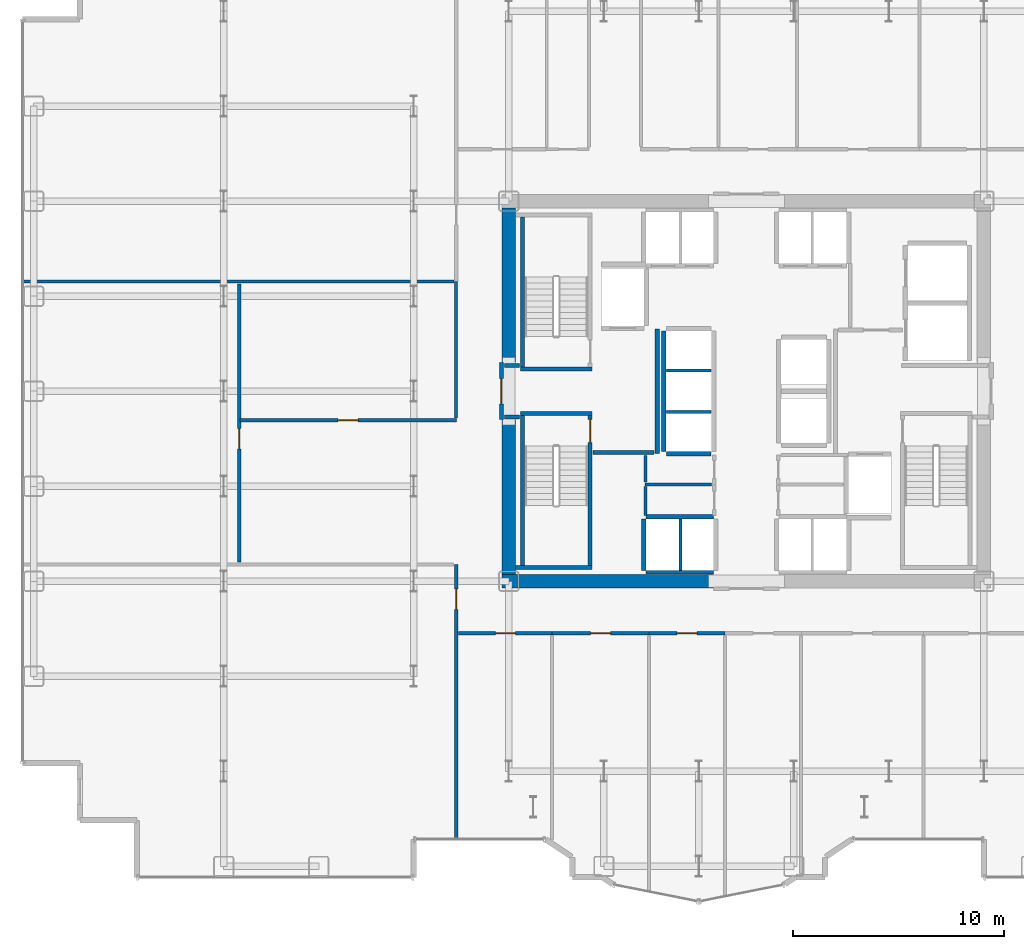
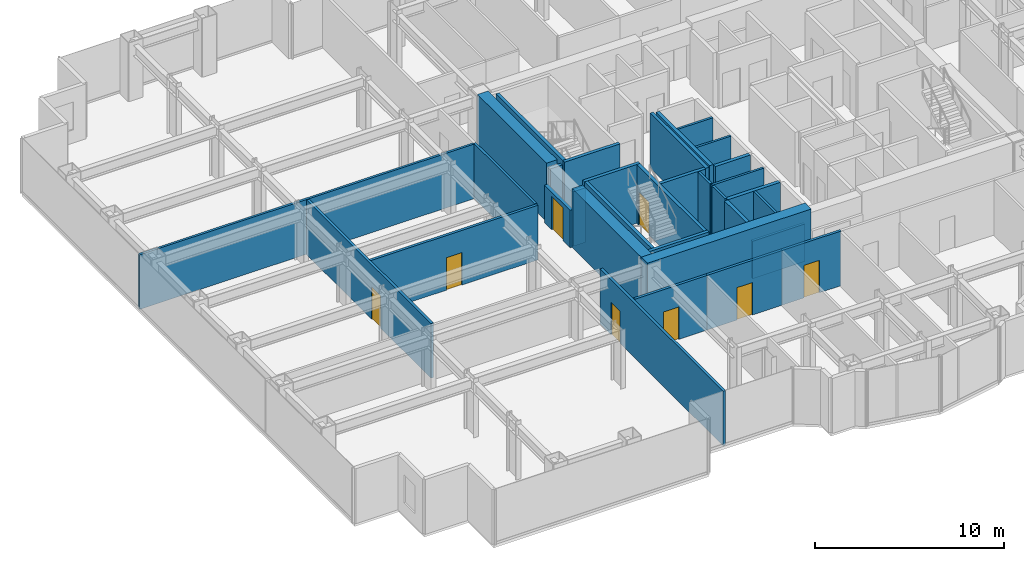
# One storey, part 20 of 26: 33 walls, 8 doors, 8 openings.
"""IFC4 building model written with IfcOpenShell, lengths in metres."""

from ifc_helpers import new_model, si_unit, direction, frame, frame_2d, origin, place, context, subcontext, project, spatial, rectangle, extrude, source, transform, mapped, material, layer, layer_set, type_object, element, fill, save


model = new_model("IFC4")

# Units and contexts
model_context = context("Model", 3, precision=1e-05, world=origin(), true_north=direction((0.0, 1.0)))
body_context = subcontext(model_context, "Body", "Model", "MODEL_VIEW")
ifc_project = project(units=[si_unit("LENGTHUNIT", "METRE"), si_unit("AREAUNIT", "SQUARE_METRE"), si_unit("VOLUMEUNIT", "CUBIC_METRE"), si_unit("PLANEANGLEUNIT", "RADIAN"), si_unit("MASSUNIT", "GRAM", prefix="KILO")], contexts=[model_context])

# Site, building, storey
site_placement = place(None, origin())
site = spatial("IfcSite", under=ifc_project, at=site_placement, CompositionType="ELEMENT")
building_placement = place(site_placement, origin())
building = spatial("IfcBuilding", under=site, at=building_placement, Name="Nefas-Gora Pilgrimage Tower", CompositionType="ELEMENT")
storey_placement = place(building_placement, frame((0.0, 0.0, 40.60009765625)))
storey = spatial("IfcBuildingStorey", under=building, at=storey_placement, Name="L08", CompositionType="ELEMENT", Elevation=40.60009765625)

# Walls
ifc_material_1 = material(Name="Concrete C60/75", Category="concrete")
ifc_layer_1 = layer(ifc_material_1, 0.64990234375)
ifc_layer_set_1 = layer_set([ifc_layer_1], Name="Concrete C60/75")
wall_type_1 = type_object("IfcWallType", Name="SW-CORE-650", PredefinedType="SHEAR", material=ifc_layer_set_1)
shared_shape_1 = source(origin(), body_context, "Body", "SweptSolid", [
    extrude(rectangle(XDim=10.02490234375, YDim=0.64990234375, at=frame_2d((5.012451171875, 0.0))), origin(), (0.0, 0.0, 1.0), 3.7998046875),
])
wall_1_placement = place(storey_placement, frame((-11.574951171875, -9.0, 0.0), z_axis=(0.0, 0.0, 1.0), x_axis=(1.0, 0.0, 0.0)))
element("IfcWall", 1, at=wall_1_placement, inside=storey, type_object=wall_type_1, Name="L08 Core Shear Wall S-West", PredefinedType="SHEAR", context=body_context, shape_type="MappedRepresentation", body=[
    mapped(shared_shape_1, transform((0.0, 0.0, 0.0), x_axis=(1.0, 0.0, 0.0), y_axis=(0.0, 1.0, 0.0), z_axis=(0.0, 0.0, 1.0), scale=1.0)),
])
shared_shape_2 = source(origin(), body_context, "Body", "SweptSolid", [
    extrude(rectangle(XDim=7.324951171875, YDim=0.64990234375, at=frame_2d((3.66259765625, 0.0))), origin(), (0.0, 0.0, 1.0), 3.7998046875),
])
for number, where, z_axis, x_axis, name in (
    (2, (-11.25, -8.675048828125, 0.0), (0.0, 0.0, 1.0), (0.0, 1.0, 0.0), "L08 Core Shear Wall W-South"),
    (3, (-11.25, 1.35009765625, 0.0), (0.0, 0.0, 1.0), (0.0, 1.0, 0.0), "L08 Core Shear Wall W-North"),
):
    element("IfcWall", number, at=place(storey_placement, frame(where, z_axis=z_axis, x_axis=x_axis)), inside=storey, type_object=wall_type_1, Name=name, PredefinedType="SHEAR", context=body_context, shape_type="MappedRepresentation", body=[
        mapped(shared_shape_2, transform((0.0, 0.0, 0.0), x_axis=(1.0, 0.0, 0.0), y_axis=(0.0, 1.0, 0.0), z_axis=(0.0, 0.0, 1.0), scale=1.0)),
    ])
ifc_material_2 = material(Name="Concrete C45/55", Category="concrete")
ifc_layer_2 = layer(ifc_material_2, 0.199951171875)
ifc_layer_set_2 = layer_set([ifc_layer_2], Name="Concrete C45/55")
wall_type_2 = type_object("IfcWallType", Name="IW-STAIR-200", PredefinedType="SOLIDWALL", material=ifc_layer_set_2)
shared_shape_3 = source(origin(), body_context, "Body", "SweptSolid", [
    extrude(rectangle(XDim=3.39990234375, YDim=0.199951171875, at=frame_2d((1.699951171875, 0.0))), origin(), (0.0, 0.0, 1.0), 3.7998046875),
])
for number, where, z_axis, x_axis, name in (
    (4, (-7.300048828125, 1.050048828125, 0.0), (0.0, 0.0, 1.0), (-1.0, 0.0, 0.0), "L08 Stairwell Shear Wall ST-01-near"),
    (5, (-10.699951171875, -1.050048828125, 0.0), (0.0, 0.0, 1.0), (1.0, 0.0, 0.0), "L08 Stairwell Shear Wall ST-03-near"),
):
    element("IfcWall", number, at=place(storey_placement, frame(where, z_axis=z_axis, x_axis=x_axis)), inside=storey, type_object=wall_type_2, Name=name, PredefinedType="SOLIDWALL", context=body_context, shape_type="MappedRepresentation", body=[
        mapped(shared_shape_3, transform((0.0, 0.0, 0.0), x_axis=(1.0, 0.0, 0.0), y_axis=(0.0, 1.0, 0.0), z_axis=(0.0, 0.0, 1.0), scale=1.0)),
    ])
shared_shape_4 = source(origin(), body_context, "Body", "SweptSolid", [
    extrude(rectangle(XDim=3.6298828125, YDim=0.199951171875, at=frame_2d((1.81494140625, 0.0))), origin(), (0.0, 0.0, 1.0), 3.7998046875),
])
wall_2_placement = place(storey_placement, frame((-10.929931640625, -8.35009765625, 0.0), z_axis=(0.0, 0.0, 1.0), x_axis=(1.0, 0.0, 0.0)))
element("IfcWall", 6, at=wall_2_placement, inside=storey, type_object=wall_type_2, Name="L08 Stairwell Shear Wall ST-03-far", PredefinedType="SOLIDWALL", context=body_context, shape_type="MappedRepresentation", body=[
    mapped(shared_shape_4, transform((0.0, 0.0, 0.0), x_axis=(1.0, 0.0, 0.0), y_axis=(0.0, 1.0, 0.0), z_axis=(0.0, 0.0, 1.0), scale=1.0)),
])
shared_shape_5 = source(origin(), body_context, "Body", "SweptSolid", [
    extrude(rectangle(XDim=7.10009765625, YDim=0.199951171875, at=frame_2d((3.550048828125, 0.0))), origin(), (0.0, 0.0, 1.0), 3.7998046875),
])
for number, where, z_axis, x_axis, name in (
    (7, (-10.60009765625, 1.14990234375, 0.0), (0.0, 0.0, 1.0), (0.0, 1.0, 0.0), "L08 Stairwell Shear Wall ST-01-right"),
    (8, (-10.60009765625, -1.14990234375, 0.0), (0.0, 0.0, 1.0), (0.0, -1.0, 0.0), "L08 Stairwell Shear Wall ST-03-left"),
):
    element("IfcWall", number, at=place(storey_placement, frame(where, z_axis=z_axis, x_axis=x_axis)), inside=storey, type_object=wall_type_2, Name=name, PredefinedType="SOLIDWALL", context=body_context, shape_type="MappedRepresentation", body=[
        mapped(shared_shape_5, transform((0.0, 0.0, 0.0), x_axis=(1.0, 0.0, 0.0), y_axis=(0.0, 1.0, 0.0), z_axis=(0.0, 0.0, 1.0), scale=1.0)),
    ])

# Wall, opening, door
wall_3_placement = place(storey_placement, frame((-7.39990234375, -1.14990234375, 0.0), z_axis=(0.0, 0.0, 1.0), x_axis=(0.0, -1.0, 0.0)))
wall_3 = element("IfcWall", 9, at=wall_3_placement, inside=storey, type_object=wall_type_2, Name="L08 Stairwell Shear Wall ST-03-right", PredefinedType="SOLIDWALL", context=body_context, shape_type="MappedRepresentation", body=[
    mapped(shared_shape_5, transform((0.0, 0.0, 0.0), x_axis=(1.0, 0.0, 0.0), y_axis=(0.0, 1.0, 0.0), z_axis=(0.0, 0.0, 1.0), scale=1.0)),
])
opening_1_placement = place(wall_3_placement, frame((0.179931640625, 0.0, 0.0)))
opening_1 = element("IfcOpeningElement", 10, at=opening_1_placement, cuts=wall_3, Name="Opening ID-ST1", PredefinedType="OPENING", context=body_context, shape_type="SweptSolid", body=[
    extrude(rectangle(XDim=1.10009765625, YDim=2.14990234375, at=frame_2d((0.550048828125, 1.074951171875))), frame((0.0, 0.10986328125, 0.0), z_axis=(0.0, -1.0, 0.0), x_axis=(1.0, 0.0, 0.0)), (0.0, 0.0, 1.0), 0.219970703125),
])
ifc_material_3 = material(Name="Painted galvanised steel fire stair door", Category="steel")
door_type_1 = type_object("IfcDoorType", Name="DR-INT-STAIR-1100", OperationType="NOTDEFINED", PredefinedType="DOOR", material=ifc_material_3)
shared_shape_6 = source(origin(), body_context, "Body", "SweptSolid", [
    extrude(rectangle(XDim=1.10009765625, YDim=2.14990234375, at=frame_2d((0.550048828125, 1.074951171875))), frame((0.0, 0.02490234375, 0.0), z_axis=(0.0, -1.0, 0.0), x_axis=(1.0, 0.0, 0.0)), (0.0, 0.0, 1.0), 0.050048828125),
])
door_1_placement = place(opening_1_placement, origin())
door_1 = element("IfcDoor", 11, at=door_1_placement, inside=storey, type_object=door_type_1, Name="L08 Protected Exit Stair Door ST-03", OperationType="SINGLE_SWING_RIGHT", OverallHeight=2.14990234375, OverallWidth=1.10009765625, PredefinedType="DOOR", context=body_context, shape_type="MappedRepresentation", body=[
    mapped(shared_shape_6, transform((0.0, 0.0, 0.0), x_axis=(1.0, 0.0, 0.0), y_axis=(0.0, 1.0, 0.0), z_axis=(0.0, 0.0, 1.0), scale=1.0)),
])
fill(opening_1, door_1)

# Walls
ifc_material_4 = material(Name="Concrete C40/50", Category="concrete")
ifc_layer_3 = layer(ifc_material_4, 0.219970703125)
ifc_layer_set_3 = layer_set([ifc_layer_3], Name="Concrete C40/50")
wall_type_3 = type_object("IfcWallType", Name="IW-SHAFT-220", PredefinedType="SOLIDWALL", material=ifc_layer_set_3)
shared_shape_7 = source(origin(), body_context, "Body", "SweptSolid", [
    extrude(rectangle(XDim=3.199951171875, YDim=0.219970703125, at=frame_2d((1.60009765625, 0.0))), origin(), (0.0, 0.0, 1.0), 3.534912109375),
])
wall_4_placement = place(storey_placement, frame((-1.550048828125, -5.93994140625, 0.0), z_axis=(0.0, 0.0, 1.0), x_axis=(-1.0, 0.0, 0.0)))
element("IfcWall", 12, at=wall_4_placement, inside=storey, type_object=wall_type_3, Name="L08 Hoistway Wall PL2-W-N", PredefinedType="SOLIDWALL", context=body_context, shape_type="MappedRepresentation", body=[
    mapped(shared_shape_7, transform((0.0, 0.0, 0.0), x_axis=(1.0, 0.0, 0.0), y_axis=(0.0, 1.0, 0.0), z_axis=(0.0, 0.0, 1.0), scale=1.0)),
])
shared_shape_8 = source(origin(), body_context, "Body", "SweptSolid", [
    extrude(rectangle(XDim=2.429931640625, YDim=0.219970703125, at=frame_2d((1.21484375, 0.0))), origin(), (0.0, 0.0, 1.0), 3.534912109375),
])
wall_5_placement = place(storey_placement, frame((-4.860107421875, -6.06005859375, 0.0), z_axis=(0.0, 0.0, 1.0), x_axis=(0.0, -1.0, 0.0)))
element("IfcWall", 13, at=wall_5_placement, inside=storey, type_object=wall_type_3, Name="L08 Hoistway Wall PL2-W-W", PredefinedType="SOLIDWALL", context=body_context, shape_type="MappedRepresentation", body=[
    mapped(shared_shape_8, transform((0.0, 0.0, 0.0), x_axis=(1.0, 0.0, 0.0), y_axis=(0.0, 1.0, 0.0), z_axis=(0.0, 0.0, 1.0), scale=1.0)),
])
ifc_material_5 = material(Name="Gypsum twin-stud partition")
ifc_layer_4 = layer(ifc_material_5, 0.139892578125)
ifc_layer_set_4 = layer_set([ifc_layer_4], Name="Gypsum twin-stud partition")
wall_type_4 = type_object("IfcWallType", Name="IW-UNIT-140", PredefinedType="PARTITIONING", material=ifc_layer_set_4)
shared_shape_9 = source(origin(), body_context, "Body", "SweptSolid", [
    extrude(rectangle(XDim=2.429931640625, YDim=0.139892578125, at=frame_2d((1.21484375, 0.0))), origin(), (0.0, 0.0, 1.0), 3.534912109375),
])
wall_6_placement = place(storey_placement, frame((-3.125, -8.489990234375, 0.0), z_axis=(0.0, 0.0, 1.0), x_axis=(0.0, 1.0, 0.0)))
element("IfcWall", 14, at=wall_6_placement, inside=storey, type_object=wall_type_4, Name="L08 Hoistway Wall PL2-W-DIV", PredefinedType="PARTITIONING", context=body_context, shape_type="MappedRepresentation", body=[
    mapped(shared_shape_9, transform((0.0, 0.0, 0.0), x_axis=(1.0, 0.0, 0.0), y_axis=(0.0, 1.0, 0.0), z_axis=(0.0, 0.0, 1.0), scale=1.0)),
])
shared_shape_10 = source(origin(), body_context, "Body", "SweptSolid", [
    extrude(rectangle(XDim=5.7001953125, YDim=0.219970703125, at=frame_2d((2.85009765625, 0.0))), origin(), (0.0, 0.0, 1.0), 3.534912109375),
])
wall_7_placement = place(storey_placement, frame((-3.909912109375, 2.85009765625, 0.0), z_axis=(0.0, 0.0, 1.0), x_axis=(0.0, -1.0, 0.0)))
element("IfcWall", 15, at=wall_7_placement, inside=storey, type_object=wall_type_3, Name="L08 Hoistway Wall PL3-01-03-W", PredefinedType="SOLIDWALL", context=body_context, shape_type="MappedRepresentation", body=[
    mapped(shared_shape_10, transform((0.0, 0.0, 0.0), x_axis=(1.0, 0.0, 0.0), y_axis=(0.0, 1.0, 0.0), z_axis=(0.0, 0.0, 1.0), scale=1.0)),
])
shared_shape_11 = source(origin(), body_context, "Body", "SweptSolid", [
    extrude(rectangle(XDim=2.130126953125, YDim=0.219970703125, at=frame_2d((1.06494140625, 0.0))), origin(), (0.0, 0.0, 1.0), 3.534912109375),
])
wall_8_placement = place(storey_placement, frame((-3.7900390625, -2.9599609375, 0.0), z_axis=(0.0, 0.0, 1.0), x_axis=(1.0, 0.0, 0.0)))
element("IfcWall", 16, at=wall_8_placement, inside=storey, type_object=wall_type_3, Name="L08 Hoistway Wall PL3-01-S", PredefinedType="SOLIDWALL", context=body_context, shape_type="MappedRepresentation", body=[
    mapped(shared_shape_11, transform((0.0, 0.0, 0.0), x_axis=(1.0, 0.0, 0.0), y_axis=(0.0, 1.0, 0.0), z_axis=(0.0, 0.0, 1.0), scale=1.0)),
])
shared_shape_12 = source(origin(), body_context, "Body", "SweptSolid", [
    extrude(rectangle(XDim=2.130126953125, YDim=0.139892578125, at=frame_2d((1.06494140625, 0.0))), origin(), (0.0, 0.0, 1.0), 3.534912109375),
])
for number, where, z_axis, x_axis, name in (
    (17, (-3.7900390625, -0.97509765625, 0.0), (0.0, 0.0, 1.0), (1.0, 0.0, 0.0), "L08 Hoistway Wall PL3-01-02-DIV"),
    (18, (-3.7900390625, 0.97509765625, 0.0), (0.0, 0.0, 1.0), (1.0, 0.0, 0.0), "L08 Hoistway Wall PL3-02-03-DIV"),
):
    element("IfcWall", number, at=place(storey_placement, frame(where, z_axis=z_axis, x_axis=x_axis)), inside=storey, type_object=wall_type_4, Name=name, PredefinedType="PARTITIONING", context=body_context, shape_type="MappedRepresentation", body=[
        mapped(shared_shape_12, transform((0.0, 0.0, 0.0), x_axis=(1.0, 0.0, 0.0), y_axis=(0.0, 1.0, 0.0), z_axis=(0.0, 0.0, 1.0), scale=1.0)),
    ])
ifc_material_6 = material(Name="Gypsum acoustic stud partition")
ifc_layer_5 = layer(ifc_material_6, 0.159912109375)
ifc_layer_set_5 = layer_set([ifc_layer_5], Name="Gypsum acoustic stud partition")
wall_type_5 = type_object("IfcWallType", Name="IW-CORR-160", PredefinedType="PARTITIONING", material=ifc_layer_set_5)
shared_shape_13 = source(origin(), body_context, "Body", "SweptSolid", [
    extrude(rectangle(XDim=3.199951171875, YDim=0.159912109375, at=frame_2d((1.60009765625, 0.0))), origin(), (0.0, 0.0, 1.0), 2.4248046875),
])
wall_9_placement = place(storey_placement, frame((-4.75, -8.580078125, 0.0), z_axis=(0.0, 0.0, 1.0), x_axis=(1.0, 0.0, 0.0)))
element("IfcWall", 19, at=wall_9_placement, inside=storey, type_object=wall_type_5, Name="L08 Hoistway Wall PL2-W-S", PredefinedType="PARTITIONING", context=body_context, shape_type="MappedRepresentation", body=[
    mapped(shared_shape_13, transform((0.0, 0.0, 0.0), x_axis=(1.0, 0.0, 0.0), y_axis=(0.0, 1.0, 0.0), z_axis=(0.0, 0.0, 1.0), scale=1.0)),
])
ifc_material_7 = material(Name="Gypsum fire-rated shaftwall")
ifc_layer_6 = layer(ifc_material_7, 0.199951171875)
ifc_layer_set_6 = layer_set([ifc_layer_6], Name="Gypsum fire-rated shaftwall")
wall_type_6 = type_object("IfcWallType", Name="IW-FFLOB-200", PredefinedType="PARTITIONING", material=ifc_layer_set_6)
shared_shape_14 = source(origin(), body_context, "Body", "SweptSolid", [
    extrude(rectangle(XDim=5.89990234375, YDim=0.199951171875, at=frame_2d((2.949951171875, 0.0))), origin(), (0.0, 0.0, 1.0), 3.534912109375),
])
wall_10_placement = place(storey_placement, frame((-4.219970703125, -2.949951171875, 0.0), z_axis=(0.0, 0.0, 1.0), x_axis=(0.0, 1.0, 0.0)))
element("IfcWall", 20, at=wall_10_placement, inside=storey, type_object=wall_type_6, Name="L08 FF Lobby West Inner Wall Wall 4", PredefinedType="PARTITIONING", context=body_context, shape_type="MappedRepresentation", body=[
    mapped(shared_shape_14, transform((0.0, 0.0, 0.0), x_axis=(1.0, 0.0, 0.0), y_axis=(0.0, 1.0, 0.0), z_axis=(0.0, 0.0, 1.0), scale=1.0)),
])
shared_shape_15 = source(origin(), body_context, "Body", "SweptSolid", [
    extrude(rectangle(XDim=2.89990234375, YDim=0.199951171875, at=frame_2d((1.449951171875, 0.0))), origin(), (0.0, 0.0, 1.0), 3.534912109375),
])
wall_11_placement = place(storey_placement, frame((-7.260009765625, -2.89990234375, 0.0), z_axis=(0.0, 0.0, 1.0), x_axis=(1.0, 0.0, 0.0)))
element("IfcWall", 21, at=wall_11_placement, inside=storey, type_object=wall_type_6, Name="L08 FF Lobby West South Wall Wall 5", PredefinedType="PARTITIONING", context=body_context, shape_type="MappedRepresentation", body=[
    mapped(shared_shape_15, transform((0.0, 0.0, 0.0), x_axis=(1.0, 0.0, 0.0), y_axis=(0.0, 1.0, 0.0), z_axis=(0.0, 0.0, 1.0), scale=1.0)),
])
shared_shape_16 = source(origin(), body_context, "Body", "SweptSolid", [
    extrude(rectangle(XDim=0.719970703125, YDim=0.199951171875, at=frame_2d((0.35986328125, 0.0))), origin(), (0.0, 0.0, 1.0), 3.534912109375),
])
for number, where, z_axis, x_axis, name in (
    (22, (-11.4599609375, 1.219970703125, 0.0), (0.0, 0.0, 1.0), (1.0, 0.0, 0.0), "L08 FF Lobby West Throat N Wall 6"),
    (23, (-11.4599609375, -1.219970703125, 0.0), (0.0, 0.0, 1.0), (1.0, 0.0, 0.0), "L08 FF Lobby West Throat S Wall 7"),
):
    element("IfcWall", number, at=place(storey_placement, frame(where, z_axis=z_axis, x_axis=x_axis)), inside=storey, type_object=wall_type_6, Name=name, PredefinedType="PARTITIONING", context=body_context, shape_type="MappedRepresentation", body=[
        mapped(shared_shape_16, transform((0.0, 0.0, 0.0), x_axis=(1.0, 0.0, 0.0), y_axis=(0.0, 1.0, 0.0), z_axis=(0.0, 0.0, 1.0), scale=1.0)),
    ])

# Wall, opening, door
shared_shape_17 = source(origin(), body_context, "Body", "SweptSolid", [
    extrude(rectangle(XDim=13.044921875, YDim=0.159912109375, at=frame_2d((6.5224609375, 0.0))), origin(), (0.0, 0.0, 1.0), 3.534912109375),
])
wall_12_placement = place(storey_placement, frame((-13.739990234375, -21.239990234375, 0.0), z_axis=(0.0, 0.0, 1.0), x_axis=(0.0, 1.0, 0.0)))
wall_12 = element("IfcWall", 24, at=wall_12_placement, inside=storey, type_object=wall_type_5, Name="L08 Pilgrim Tea and Beverage Pantry Partition Wall 28", PredefinedType="PARTITIONING", context=body_context, shape_type="MappedRepresentation", body=[
    mapped(shared_shape_17, transform((0.0, 0.0, 0.0), x_axis=(1.0, 0.0, 0.0), y_axis=(0.0, 1.0, 0.0), z_axis=(0.0, 0.0, 1.0), scale=1.0)),
])
opening_2_placement = place(wall_12_placement, frame((10.91259765625, 0.0, 0.0)))
opening_2 = element("IfcOpeningElement", 25, at=opening_2_placement, cuts=wall_12, Name="Opening ID-GR1", PredefinedType="OPENING", context=body_context, shape_type="SweptSolid", body=[
    extrude(rectangle(XDim=0.949951171875, YDim=2.10009765625, at=frame_2d((0.47509765625, 1.050048828125))), frame((0.0, 0.08984375, 0.0), z_axis=(0.0, -1.0, 0.0), x_axis=(1.0, 0.0, 0.0)), (0.0, 0.0, 1.0), 0.179931640625),
])
ifc_material_8 = material(Name="Solid core oak fire-rated guest entrance door")
door_type_2 = type_object("IfcDoorType", Name="DR-INT-GUEST-950", OperationType="NOTDEFINED", PredefinedType="DOOR", material=ifc_material_8)
shared_shape_18 = source(origin(), body_context, "Body", "SweptSolid", [
    extrude(rectangle(XDim=0.949951171875, YDim=2.10009765625, at=frame_2d((0.47509765625, 1.050048828125))), frame((0.0, 0.02490234375, 0.0), z_axis=(0.0, -1.0, 0.0), x_axis=(1.0, 0.0, 0.0)), (0.0, 0.0, 1.0), 0.050048828125),
])
door_2_placement = place(opening_2_placement, origin())
door_2 = element("IfcDoor", 26, at=door_2_placement, inside=storey, type_object=door_type_2, Name="L08 Pilgrim Tea and Beverage Pantry Door 11", OperationType="SINGLE_SWING_LEFT", OverallHeight=2.10009765625, OverallWidth=0.949951171875, PredefinedType="DOOR", context=body_context, shape_type="MappedRepresentation", body=[
    mapped(shared_shape_18, transform((0.0, 0.0, 0.0), x_axis=(1.0, 0.0, 0.0), y_axis=(0.0, 1.0, 0.0), z_axis=(0.0, 0.0, 1.0), scale=1.0)),
])
fill(opening_2, door_2)

shared_shape_19 = source(origin(), body_context, "Body", "SweptSolid", [
    extrude(rectangle(XDim=10.25, YDim=0.159912109375, at=frame_2d((5.125, 0.0))), origin(), (0.0, 0.0, 1.0), 3.534912109375),
])
wall_13_placement = place(storey_placement, frame((-23.97998046875, -1.3798828125, 0.0), z_axis=(0.0, 0.0, 1.0), x_axis=(1.0, 0.0, 0.0)))
wall_13 = element("IfcWall", 27, at=wall_13_placement, inside=storey, type_object=wall_type_5, Name="L08 Pilgrim Fellowship Seminar Room Partition Wall 30", PredefinedType="PARTITIONING", context=body_context, shape_type="MappedRepresentation", body=[
    mapped(shared_shape_19, transform((0.0, 0.0, 0.0), x_axis=(1.0, 0.0, 0.0), y_axis=(0.0, 1.0, 0.0), z_axis=(0.0, 0.0, 1.0), scale=1.0)),
])
opening_3_placement = place(wall_13_placement, frame((4.64990234375, 0.0, 0.0)))
opening_3 = element("IfcOpeningElement", 28, at=opening_3_placement, cuts=wall_13, Name="Opening ID-GR1", PredefinedType="OPENING", context=body_context, shape_type="SweptSolid", body=[
    extrude(rectangle(XDim=0.949951171875, YDim=2.10009765625, at=frame_2d((0.47509765625, 1.050048828125))), frame((0.0, 0.08984375, 0.0), z_axis=(0.0, -1.0, 0.0), x_axis=(1.0, 0.0, 0.0)), (0.0, 0.0, 1.0), 0.179931640625),
])
door_3_placement = place(opening_3_placement, origin())
door_3 = element("IfcDoor", 29, at=door_3_placement, inside=storey, type_object=door_type_2, Name="L08 Pilgrim Fellowship Seminar Room Door 12", OperationType="SINGLE_SWING_RIGHT", OverallHeight=2.10009765625, OverallWidth=0.949951171875, PredefinedType="DOOR", context=body_context, shape_type="MappedRepresentation", body=[
    mapped(shared_shape_18, transform((0.0, 0.0, 0.0), x_axis=(1.0, 0.0, 0.0), y_axis=(0.0, 1.0, 0.0), z_axis=(0.0, 0.0, 1.0), scale=1.0)),
])
fill(opening_3, door_3)

# Wall
shared_shape_20 = source(origin(), body_context, "Body", "SweptSolid", [
    extrude(rectangle(XDim=6.465087890625, YDim=0.139892578125, at=frame_2d((3.232421875, 0.0))), origin(), (0.0, 0.0, 1.0), 3.534912109375),
])
wall_14_placement = place(storey_placement, frame((-13.739990234375, -1.260009765625, 0.0), z_axis=(0.0, 0.0, 1.0), x_axis=(0.0, 1.0, 0.0)))
element("IfcWall", 30, at=wall_14_placement, inside=storey, type_object=wall_type_4, Name="L08 Pilgrim Fellowship Seminar Room Partition Wall 31", PredefinedType="PARTITIONING", context=body_context, shape_type="MappedRepresentation", body=[
    mapped(shared_shape_20, transform((0.0, 0.0, 0.0), x_axis=(1.0, 0.0, 0.0), y_axis=(0.0, 1.0, 0.0), z_axis=(0.0, 0.0, 1.0), scale=1.0)),
])

# Wall, opening, door
shared_shape_21 = source(origin(), body_context, "Body", "SweptSolid", [
    extrude(rectangle(XDim=13.179931640625, YDim=0.159912109375, at=frame_2d((6.58984375, 0.0))), origin(), (0.0, 0.0, 1.0), 3.534912109375),
])
wall_15_placement = place(storey_placement, frame((-24.02001953125, -8.094970703125, 0.0), z_axis=(0.0, 0.0, 1.0), x_axis=(0.0, 1.0, 0.0)))
wall_15 = element("IfcWall", 31, at=wall_15_placement, inside=storey, type_object=wall_type_5, Name="L08 Pilgrim Refectory Lounge Partition Wall 33", PredefinedType="PARTITIONING", context=body_context, shape_type="MappedRepresentation", body=[
    mapped(shared_shape_21, transform((0.0, 0.0, 0.0), x_axis=(1.0, 0.0, 0.0), y_axis=(0.0, 1.0, 0.0), z_axis=(0.0, 0.0, 1.0), scale=1.0)),
])
opening_4_placement = place(wall_15_placement, frame((5.3701171875, 0.0, 0.0)))
opening_4 = element("IfcOpeningElement", 32, at=opening_4_placement, cuts=wall_15, Name="Opening ID-GR1", PredefinedType="OPENING", context=body_context, shape_type="SweptSolid", body=[
    extrude(rectangle(XDim=0.949951171875, YDim=2.10009765625, at=frame_2d((0.47509765625, 1.050048828125))), frame((0.0, 0.08984375, 0.0), z_axis=(0.0, -1.0, 0.0), x_axis=(1.0, 0.0, 0.0)), (0.0, 0.0, 1.0), 0.179931640625),
])
door_4_placement = place(opening_4_placement, origin())
door_4 = element("IfcDoor", 33, at=door_4_placement, inside=storey, type_object=door_type_2, Name="L08 Pilgrim Refectory Lounge Door 13", OperationType="SINGLE_SWING_LEFT", OverallHeight=2.10009765625, OverallWidth=0.949951171875, PredefinedType="DOOR", context=body_context, shape_type="MappedRepresentation", body=[
    mapped(shared_shape_18, transform((0.0, 0.0, 0.0), x_axis=(1.0, 0.0, 0.0), y_axis=(0.0, 1.0, 0.0), z_axis=(0.0, 0.0, 1.0), scale=1.0)),
])
fill(opening_4, door_4)

shared_shape_22 = source(origin(), body_context, "Body", "SweptSolid", [
    extrude(rectangle(XDim=4.425048828125, YDim=0.159912109375, at=frame_2d((2.21240234375, 0.0))), origin(), (0.0, 0.0, 1.0), 3.534912109375),
])
wall_16_placement = place(storey_placement, frame((-13.6201171875, -11.469970703125, 0.0), z_axis=(0.0, 0.0, 1.0), x_axis=(1.0, 0.0, 0.0)))
wall_16 = element("IfcWall", 34, at=wall_16_placement, inside=storey, type_object=wall_type_5, Name="L08 Pilgrim Contemplative Lounge Partition Wall 56", PredefinedType="PARTITIONING", context=body_context, shape_type="MappedRepresentation", body=[
    mapped(shared_shape_22, transform((0.0, 0.0, 0.0), x_axis=(1.0, 0.0, 0.0), y_axis=(0.0, 1.0, 0.0), z_axis=(0.0, 0.0, 1.0), scale=1.0)),
])
opening_5_placement = place(wall_16_placement, frame((1.737548828125, 0.0, 0.0)))
opening_5 = element("IfcOpeningElement", 35, at=opening_5_placement, cuts=wall_16, Name="Opening ID-GR1", PredefinedType="OPENING", context=body_context, shape_type="SweptSolid", body=[
    extrude(rectangle(XDim=0.949951171875, YDim=2.10009765625, at=frame_2d((0.47509765625, 1.050048828125))), frame((0.0, 0.08984375, 0.0), z_axis=(0.0, -1.0, 0.0), x_axis=(1.0, 0.0, 0.0)), (0.0, 0.0, 1.0), 0.179931640625),
])
door_5_placement = place(opening_5_placement, origin())
door_5 = element("IfcDoor", 36, at=door_5_placement, inside=storey, type_object=door_type_2, Name="L08 Pilgrim Contemplative Lounge Door 26", OperationType="SINGLE_SWING_RIGHT", OverallHeight=2.10009765625, OverallWidth=0.949951171875, PredefinedType="DOOR", context=body_context, shape_type="MappedRepresentation", body=[
    mapped(shared_shape_18, transform((0.0, 0.0, 0.0), x_axis=(1.0, 0.0, 0.0), y_axis=(0.0, 1.0, 0.0), z_axis=(0.0, 0.0, 1.0), scale=1.0)),
])
fill(opening_5, door_5)

shared_shape_23 = source(origin(), body_context, "Body", "SweptSolid", [
    extrude(rectangle(XDim=4.610107421875, YDim=0.159912109375, at=frame_2d((2.30517578125, 0.0))), origin(), (0.0, 0.0, 1.0), 3.534912109375),
])
wall_17_placement = place(storey_placement, frame((-9.205078125, -11.469970703125, 0.0), z_axis=(0.0, 0.0, 1.0), x_axis=(1.0, 0.0, 0.0)))
wall_17 = element("IfcWall", 37, at=wall_17_placement, inside=storey, type_object=wall_type_5, Name="L08 Pilgrim Contemplative Lounge Partition Wall 58", PredefinedType="PARTITIONING", context=body_context, shape_type="MappedRepresentation", body=[
    mapped(shared_shape_23, transform((0.0, 0.0, 0.0), x_axis=(1.0, 0.0, 0.0), y_axis=(0.0, 1.0, 0.0), z_axis=(0.0, 0.0, 1.0), scale=1.0)),
])
opening_6_placement = place(wall_17_placement, frame((1.830078125, 0.0, 0.0)))
opening_6 = element("IfcOpeningElement", 38, at=opening_6_placement, cuts=wall_17, Name="Opening ID-GR1", PredefinedType="OPENING", context=body_context, shape_type="SweptSolid", body=[
    extrude(rectangle(XDim=0.949951171875, YDim=2.10009765625, at=frame_2d((0.47509765625, 1.050048828125))), frame((0.0, 0.08984375, 0.0), z_axis=(0.0, -1.0, 0.0), x_axis=(1.0, 0.0, 0.0)), (0.0, 0.0, 1.0), 0.179931640625),
])
door_6_placement = place(opening_6_placement, origin())
door_6 = element("IfcDoor", 39, at=door_6_placement, inside=storey, type_object=door_type_2, Name="L08 Pilgrim Contemplative Lounge Door 27", OperationType="SINGLE_SWING_LEFT", OverallHeight=2.10009765625, OverallWidth=0.949951171875, PredefinedType="DOOR", context=body_context, shape_type="MappedRepresentation", body=[
    mapped(shared_shape_18, transform((0.0, 0.0, 0.0), x_axis=(1.0, 0.0, 0.0), y_axis=(0.0, 1.0, 0.0), z_axis=(0.0, 0.0, 1.0), scale=1.0)),
])
fill(opening_6, door_6)

shared_shape_24 = source(origin(), body_context, "Body", "SweptSolid", [
    extrude(rectangle(XDim=3.60498046875, YDim=0.159912109375, at=frame_2d((1.802490234375, 0.0))), origin(), (0.0, 0.0, 1.0), 3.534912109375),
])
wall_18_placement = place(storey_placement, frame((-4.60498046875, -11.469970703125, 0.0), z_axis=(0.0, 0.0, 1.0), x_axis=(1.0, 0.0, 0.0)))
wall_18 = element("IfcWall", 40, at=wall_18_placement, inside=storey, type_object=wall_type_5, Name="L08 Pilgrim Contemplative Lounge Partition Wall 60", PredefinedType="PARTITIONING", context=body_context, shape_type="MappedRepresentation", body=[
    mapped(shared_shape_24, transform((0.0, 0.0, 0.0), x_axis=(1.0, 0.0, 0.0), y_axis=(0.0, 1.0, 0.0), z_axis=(0.0, 0.0, 1.0), scale=1.0)),
])
opening_7_placement = place(wall_18_placement, frame((1.327392578125, 0.0, 0.0)))
opening_7 = element("IfcOpeningElement", 41, at=opening_7_placement, cuts=wall_18, Name="Opening ID-GR1", PredefinedType="OPENING", context=body_context, shape_type="SweptSolid", body=[
    extrude(rectangle(XDim=0.949951171875, YDim=2.10009765625, at=frame_2d((0.47509765625, 1.050048828125))), frame((0.0, 0.08984375, 0.0), z_axis=(0.0, -1.0, 0.0), x_axis=(1.0, 0.0, 0.0)), (0.0, 0.0, 1.0), 0.179931640625),
])
door_7_placement = place(opening_7_placement, origin())
door_7 = element("IfcDoor", 42, at=door_7_placement, inside=storey, type_object=door_type_2, Name="L08 Pilgrim Contemplative Lounge Door 28", OperationType="SINGLE_SWING_RIGHT", OverallHeight=2.10009765625, OverallWidth=0.949951171875, PredefinedType="DOOR", context=body_context, shape_type="MappedRepresentation", body=[
    mapped(shared_shape_18, transform((0.0, 0.0, 0.0), x_axis=(1.0, 0.0, 0.0), y_axis=(0.0, 1.0, 0.0), z_axis=(0.0, 0.0, 1.0), scale=1.0)),
])
fill(opening_7, door_7)

# Wall
shared_shape_25 = source(origin(), body_context, "Body", "SweptSolid", [
    extrude(rectangle(XDim=20.43994140625, YDim=0.139892578125, at=frame_2d((10.219970703125, 0.0))), origin(), (0.0, 0.0, 1.0), 3.534912109375),
])
wall_19_placement = place(storey_placement, frame((-34.2900390625, 5.195068359375, 0.0), z_axis=(0.0, 0.0, 1.0), x_axis=(1.0, 0.0, 0.0)))
element("IfcWall", 43, at=wall_19_placement, inside=storey, type_object=wall_type_4, Name="L08 Pilgrim Fellowship Seminar Room Partition Wall 32", PredefinedType="PARTITIONING", context=body_context, shape_type="MappedRepresentation", body=[
    mapped(shared_shape_25, transform((0.0, 0.0, 0.0), x_axis=(1.0, 0.0, 0.0), y_axis=(0.0, 1.0, 0.0), z_axis=(0.0, 0.0, 1.0), scale=1.0)),
])

# Wall, opening, door
shared_shape_26 = source(origin(), body_context, "Body", "SweptSolid", [
    extrude(rectangle(XDim=2.7001953125, YDim=0.199951171875, at=frame_2d((1.35009765625, 0.0))), origin(), (0.0, 0.0, 1.0), 2.4248046875),
])
wall_20_placement = place(storey_placement, frame((-11.60009765625, -1.35009765625, 0.0), z_axis=(0.0, 0.0, 1.0), x_axis=(0.0, 1.0, 0.0)))
wall_20 = element("IfcWall", 44, at=wall_20_placement, inside=storey, type_object=wall_type_6, Name="L08 FF Lobby West Portal Wall 3", PredefinedType="PARTITIONING", context=body_context, shape_type="MappedRepresentation", body=[
    mapped(shared_shape_26, transform((0.0, 0.0, 0.0), x_axis=(1.0, 0.0, 0.0), y_axis=(0.0, 1.0, 0.0), z_axis=(0.0, 0.0, 1.0), scale=1.0)),
])
opening_8_placement = place(wall_20_placement, frame((0.75, 0.0, 0.0)))
opening_8 = element("IfcOpeningElement", 45, at=opening_8_placement, cuts=wall_20, Name="Opening ID-FF1", PredefinedType="OPENING", context=body_context, shape_type="SweptSolid", body=[
    extrude(rectangle(XDim=1.199951171875, YDim=2.14990234375, at=frame_2d((0.60009765625, 1.074951171875))), frame((0.0, 0.10986328125, 0.0), z_axis=(0.0, -1.0, 0.0), x_axis=(1.0, 0.0, 0.0)), (0.0, 0.0, 1.0), 0.219970703125),
])
ifc_material_9 = material(Name="Smoke-sealed steel firefighting lobby door", Category="steel")
door_type_3 = type_object("IfcDoorType", Name="DR-INT-FFLOB-1200", OperationType="NOTDEFINED", PredefinedType="DOOR", material=ifc_material_9)
shared_shape_27 = source(origin(), body_context, "Body", "SweptSolid", [
    extrude(rectangle(XDim=1.199951171875, YDim=2.14990234375, at=frame_2d((0.60009765625, 1.074951171875))), frame((0.0, 0.02490234375, 0.0), z_axis=(0.0, -1.0, 0.0), x_axis=(1.0, 0.0, 0.0)), (0.0, 0.0, 1.0), 0.050048828125),
])
door_8_placement = place(opening_8_placement, origin())
door_8 = element("IfcDoor", 46, at=door_8_placement, inside=storey, type_object=door_type_3, Name="L08 FF Lobby West Portal Door 1", OperationType="SINGLE_SWING_LEFT", OverallHeight=2.14990234375, OverallWidth=1.199951171875, PredefinedType="DOOR", context=body_context, shape_type="MappedRepresentation", body=[
    mapped(shared_shape_27, transform((0.0, 0.0, 0.0), x_axis=(1.0, 0.0, 0.0), y_axis=(0.0, 1.0, 0.0), z_axis=(0.0, 0.0, 1.0), scale=1.0)),
])
fill(opening_8, door_8)

# Walls
shared_shape_28 = source(origin(), body_context, "Body", "SweptSolid", [
    extrude(rectangle(XDim=3.150146484375, YDim=0.139892578125, at=frame_2d((1.5751953125, 0.0))), origin(), (0.0, 0.0, 1.0), 3.534912109375),
])
wall_21_placement = place(storey_placement, frame((-4.7900390625, -4.409912109375, 0.0), z_axis=(0.0, 0.0, 1.0), x_axis=(1.0, 0.0, 0.0)))
element("IfcWall", 47, at=wall_21_placement, inside=storey, type_object=wall_type_4, Name="L08 Housekeeping and Linen Store Partition Wall 17", PredefinedType="PARTITIONING", context=body_context, shape_type="MappedRepresentation", body=[
    mapped(shared_shape_28, transform((0.0, 0.0, 0.0), x_axis=(1.0, 0.0, 0.0), y_axis=(0.0, 1.0, 0.0), z_axis=(0.0, 0.0, 1.0), scale=1.0)),
])
shared_shape_29 = source(origin(), body_context, "Body", "SweptSolid", [
    extrude(rectangle(XDim=1.260009765625, YDim=0.139892578125, at=frame_2d((0.6298828125, 0.0))), origin(), (0.0, 0.0, 1.0), 3.534912109375),
])
wall_22_placement = place(storey_placement, frame((-4.780029296875, -4.300048828125, 0.0), z_axis=(0.0, 0.0, 1.0), x_axis=(0.0, 1.0, 0.0)))
element("IfcWall", 48, at=wall_22_placement, inside=storey, type_object=wall_type_4, Name="L08 Housekeeping and Linen Store Partition Wall 18", PredefinedType="PARTITIONING", context=body_context, shape_type="MappedRepresentation", body=[
    mapped(shared_shape_29, transform((0.0, 0.0, 0.0), x_axis=(1.0, 0.0, 0.0), y_axis=(0.0, 1.0, 0.0), z_axis=(0.0, 0.0, 1.0), scale=1.0)),
])
shared_shape_30 = source(origin(), body_context, "Body", "SweptSolid", [
    extrude(rectangle(XDim=1.369873046875, YDim=0.139892578125, at=frame_2d((0.68505859375, 0.0))), origin(), (0.0, 0.0, 1.0), 3.534912109375),
])
wall_23_placement = place(storey_placement, frame((-4.780029296875, -5.889892578125, 0.0), z_axis=(0.0, 0.0, 1.0), x_axis=(0.0, 1.0, 0.0)))
element("IfcWall", 49, at=wall_23_placement, inside=storey, type_object=wall_type_4, Name="L08 Guest Self-Service Laundry Room Partition Wall 20", PredefinedType="PARTITIONING", context=body_context, shape_type="MappedRepresentation", body=[
    mapped(shared_shape_30, transform((0.0, 0.0, 0.0), x_axis=(1.0, 0.0, 0.0), y_axis=(0.0, 1.0, 0.0), z_axis=(0.0, 0.0, 1.0), scale=1.0)),
])

save(model, "model.ifc")
